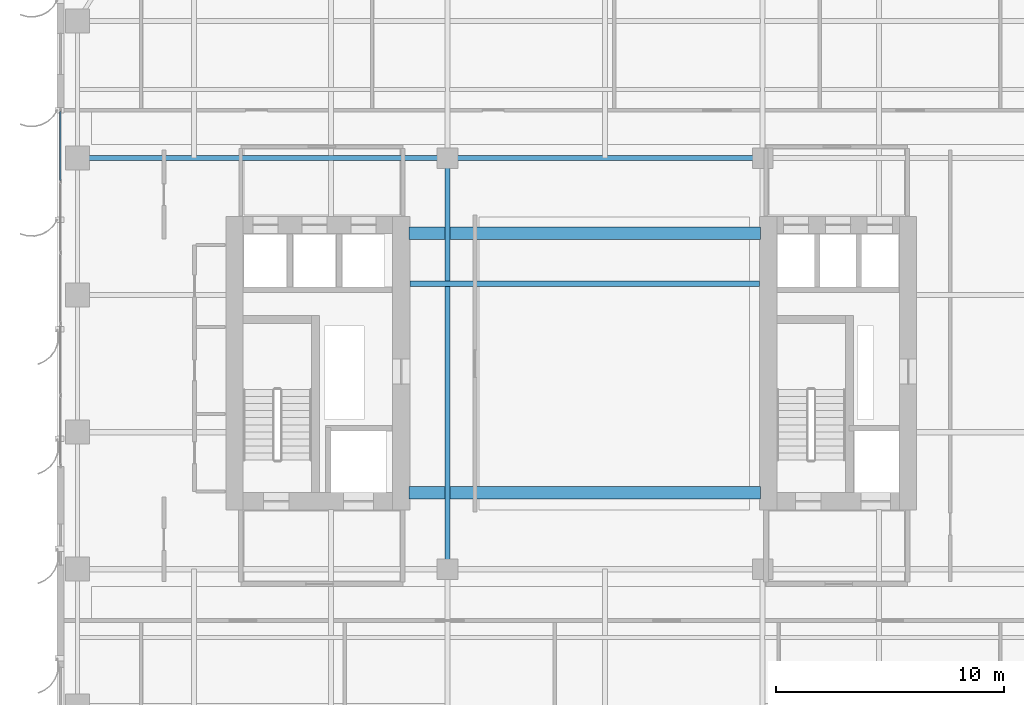
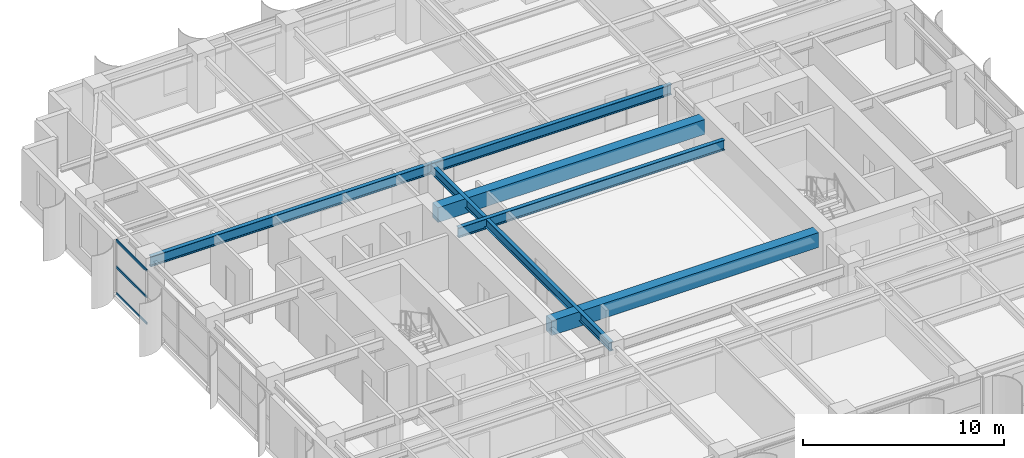
# One storey, part 8 of 28: 6 beams, 3 members, 1 element without a shape of its own.
"""IFC4 building model written with IfcOpenShell, lengths in metres."""

from ifc_helpers import new_model, si_unit, direction, frame, origin, origin_2d, place, context, subcontext, project, spatial, rectangle, hollow_rectangle, i_section, extrude, source, transform, mapped, material, layer, layer_set, material_profile, profile_set, type_object, element, aggregate, save


model = new_model("IFC4")

# Units and contexts
model_context = context("Model", 3, precision=1e-05, world=origin(), true_north=direction((0.0, 1.0)))
body_context = subcontext(model_context, "Body", "Model", "MODEL_VIEW")
ifc_project = project(units=[si_unit("LENGTHUNIT", "METRE"), si_unit("AREAUNIT", "SQUARE_METRE"), si_unit("VOLUMEUNIT", "CUBIC_METRE"), si_unit("PLANEANGLEUNIT", "RADIAN"), si_unit("MASSUNIT", "GRAM", prefix="KILO")], contexts=[model_context])

# Site, building, storey
site_placement = place(None, origin())
site = spatial("IfcSite", under=ifc_project, at=site_placement, CompositionType="ELEMENT")
building_placement = place(site_placement, origin())
building = spatial("IfcBuilding", under=site, at=building_placement, Name="Khoralis Quay Care Tower", CompositionType="ELEMENT")
storey_placement = place(building_placement, frame((0.0, 0.0, 144.89990234375)))
storey = spatial("IfcBuildingStorey", under=building, at=storey_placement, Name="L38", CompositionType="ELEMENT", Elevation=144.89990234375)

# Beams
ifc_material_1 = material(Name="Concrete C65/80", Category="concrete")
ifc_material_profile_1 = material_profile(ifc_material_1, rectangle(XDim=0.550048828125, YDim=0.89990234375, at=origin_2d()), Name="Concrete C65/80")
ifc_profile_set_1 = profile_set([ifc_material_profile_1], Name="Concrete C65/80")
beam_type_1 = type_object("IfcBeamType", Name="CB-RC550X900", PredefinedType="LINTEL", material=ifc_profile_set_1)
shared_shape_1 = source(origin(), body_context, "Body", "SweptSolid", [
    extrude(rectangle(XDim=0.550048828125, YDim=0.89990234375, at=origin_2d()), origin(), (0.0, 0.0, 1.0), 15.380126953125),
])
for number, where, z_axis, x_axis, name in (
    (1, (15.419921875, 15.35009765625, 2.830078125), (1.0, 0.0, 0.0), (0.0, 1.0, 0.0), "L38 South Core Coupling Lintel"),
    (2, (15.419921875, 26.699951171875, 2.830078125), (1.0, 0.0, 0.0), (0.0, 1.0, 0.0), "L38 North Core Coupling Lintel"),
):
    element("IfcBeam", number, at=place(storey_placement, frame(where, z_axis=z_axis, x_axis=x_axis)), inside=storey, type_object=beam_type_1, Name=name, PredefinedType="LINTEL", context=body_context, shape_type="MappedRepresentation", body=[
        mapped(shared_shape_1, transform((0.0, 0.0, 0.0), scale=1.0)),
    ])
ifc_material_2 = material(Name="Steel S355", Category="steel")
ifc_material_profile_2 = material_profile(ifc_material_2, i_section(OverallWidth=0.22998046875, OverallDepth=0.616943359375, WebThickness=0.01318359375, FlangeThickness=0.022216796875, FilletRadius=0.01806640625, at=origin_2d()), Name="Steel S355")
ifc_profile_set_2 = profile_set([ifc_material_profile_2], Name="Steel S355")
beam_type_2 = type_object("IfcBeamType", Name="BM-W610X140", PredefinedType="BEAM", material=ifc_profile_set_2)
shared_shape_2 = source(origin(), body_context, "Body", "SweptSolid", [
    extrude(i_section(OverallWidth=0.22998046875, OverallDepth=0.616943359375, WebThickness=0.01318359375, FlangeThickness=0.022216796875, FilletRadius=0.01806640625, at=origin_2d()), origin(), (0.0, 0.0, 1.0), 16.2001953125),
])
beam_1_placement = place(storey_placement, frame((0.89990234375, 30.0, 2.9716796875), z_axis=(1.0, 0.0, 0.0), x_axis=(0.0, 1.0, 0.0)))
element("IfcBeam", 3, at=beam_1_placement, inside=storey, type_object=beam_type_2, Name="BM-TGXW-L38-300", PredefinedType="BEAM", context=body_context, shape_type="MappedRepresentation", body=[
    mapped(shared_shape_2, transform((0.0, 0.0, 0.0), scale=1.0)),
])
shared_shape_3 = source(origin(), body_context, "Body", "SweptSolid", [
    extrude(i_section(OverallWidth=0.22998046875, OverallDepth=0.616943359375, WebThickness=0.01318359375, FlangeThickness=0.022216796875, FilletRadius=0.01806640625, at=origin_2d()), origin(), (0.0, 0.0, 1.0), 13.7998046875),
])
beam_2_placement = place(storey_placement, frame((17.10009765625, 30.0, 2.9716796875), z_axis=(1.0, 0.0, 0.0), x_axis=(0.0, 1.0, 0.0)))
element("IfcBeam", 4, at=beam_2_placement, inside=storey, type_object=beam_type_2, Name="BM-TGCC-L38-300", PredefinedType="BEAM", context=body_context, shape_type="MappedRepresentation", body=[
    mapped(shared_shape_3, transform((0.0, 0.0, 0.0), scale=1.0)),
])
shared_shape_4 = source(origin(), body_context, "Body", "SweptSolid", [
    extrude(i_section(OverallWidth=0.22998046875, OverallDepth=0.616943359375, WebThickness=0.01318359375, FlangeThickness=0.022216796875, FilletRadius=0.01806640625, at=origin_2d()), origin(), (0.0, 0.0, 1.0), 15.323974609375),
])
beam_3_placement = place(storey_placement, frame((15.447998046875, 24.5, 2.9716796875), z_axis=(1.0, 0.0, 0.0), x_axis=(0.0, 1.0, 0.0)))
element("IfcBeam", 5, at=beam_3_placement, inside=storey, type_object=beam_type_2, Name="BM-TGCC-L38-245", PredefinedType="BEAM", context=body_context, shape_type="MappedRepresentation", body=[
    mapped(shared_shape_4, transform((0.0, 0.0, 0.0), scale=1.0)),
])
ifc_material_profile_3 = material_profile(ifc_material_2, i_section(OverallWidth=0.2119140625, OverallDepth=0.5439453125, WebThickness=0.01318359375, FlangeThickness=0.021240234375, FilletRadius=0.01611328125, at=origin_2d()), Name="Steel S355")
ifc_profile_set_3 = profile_set([ifc_material_profile_3], Name="Steel S355")
beam_type_3 = type_object("IfcBeamType", Name="BM-W530X123", PredefinedType="BEAM", material=ifc_profile_set_3)
shared_shape_5 = source(origin(), body_context, "Body", "SweptSolid", [
    extrude(i_section(OverallWidth=0.2119140625, OverallDepth=0.5439453125, WebThickness=0.01318359375, FlangeThickness=0.021240234375, FilletRadius=0.01611328125, at=origin_2d()), origin(), (0.0, 0.0, 1.0), 18.0),
])
beam_4_placement = place(storey_placement, frame((17.10009765625, 12.0, 3.008056640625), z_axis=(0.0, 1.0, 0.0), x_axis=(-1.0, 0.0, 0.0)))
element("IfcBeam", 6, at=beam_4_placement, inside=storey, type_object=beam_type_3, Name="BM-TGSW-L38", PredefinedType="BEAM", context=body_context, shape_type="MappedRepresentation", body=[
    mapped(shared_shape_5, transform((0.0, 0.0, 0.0), scale=1.0)),
])

# Curtain wall, members
ifc_material_3 = material(Name="Pale anodised aluminium", Category="aluminium")
ifc_layer = layer(ifc_material_3, 0.169921875)
ifc_layer_set = layer_set([ifc_layer], Name="Pale anodised aluminium")
curtain_wall_type = type_object("IfcCurtainWallType", Name="CW-SYS-Z2", PredefinedType="NOTDEFINED", material=ifc_layer_set)
curtain_wall_placement = place(storey_placement, origin())
curtain_wall = element("IfcCurtainWall", 7, at=curtain_wall_placement, inside=storey, type_object=curtain_wall_type, Name="L38 Unitised Curtain Wall CW-L38-P1-E15", PredefinedType="NOTDEFINED")
ifc_material_profile_4 = material_profile(ifc_material_3, hollow_rectangle(XDim=0.06005859375, YDim=0.139892578125, WallThickness=0.00390625, at=origin_2d()), Name="Pale anodised aluminium")
ifc_profile_set_4 = profile_set([ifc_material_profile_4], Name="Pale anodised aluminium")
member_type = type_object("IfcMemberType", Name="CW-TRN-140", PredefinedType="USERDEFINED", material=ifc_profile_set_4)
shared_shape_6 = source(origin(), body_context, "Body", "SweptSolid", [
    extrude(hollow_rectangle(XDim=0.06005859375, YDim=0.139892578125, WallThickness=0.00390625, at=origin_2d()), origin(), (0.0, 0.0, 1.0), 3.030029296875),
])
member_1_placement = place(storey_placement, frame((0.14990234375, 32.0400390625, 0.030029296875), z_axis=(0.0, -1.0, 0.0), x_axis=(1.0, 0.0, 0.0)))
member_1 = element("IfcMember", 8, at=member_1_placement, type_object=member_type, Name="CW2 transom 1.1", ObjectType="TRANSOM", PredefinedType="USERDEFINED", context=body_context, shape_type="MappedRepresentation", body=[
    mapped(shared_shape_6, transform((0.0, 0.0, 0.0), scale=1.0)),
])
member_2_placement = place(storey_placement, frame((0.14990234375, 32.0400390625, 1.64013671875), z_axis=(0.0, -1.0, 0.0), x_axis=(1.0, 0.0, 0.0)))
member_2 = element("IfcMember", 9, at=member_2_placement, type_object=member_type, Name="CW2 transom 1.2", ObjectType="TRANSOM", PredefinedType="USERDEFINED", context=body_context, shape_type="MappedRepresentation", body=[
    mapped(shared_shape_6, transform((0.0, 0.0, 0.0), scale=1.0)),
])
member_3_placement = place(storey_placement, frame((0.14990234375, 32.0400390625, 3.25), z_axis=(0.0, -1.0, 0.0), x_axis=(1.0, 0.0, 0.0)))
member_3 = element("IfcMember", 10, at=member_3_placement, type_object=member_type, Name="CW2 transom 1.3", ObjectType="TRANSOM", PredefinedType="USERDEFINED", context=body_context, shape_type="MappedRepresentation", body=[
    mapped(shared_shape_6, transform((0.0, 0.0, 0.0), scale=1.0)),
])
aggregate(curtain_wall, [member_1, member_2, member_3])

save(model, "model.ifc")
